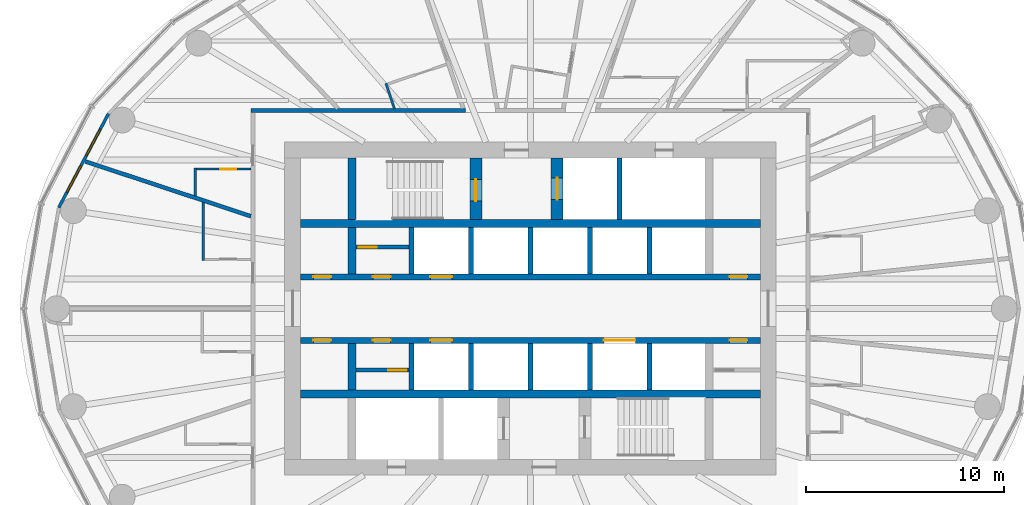
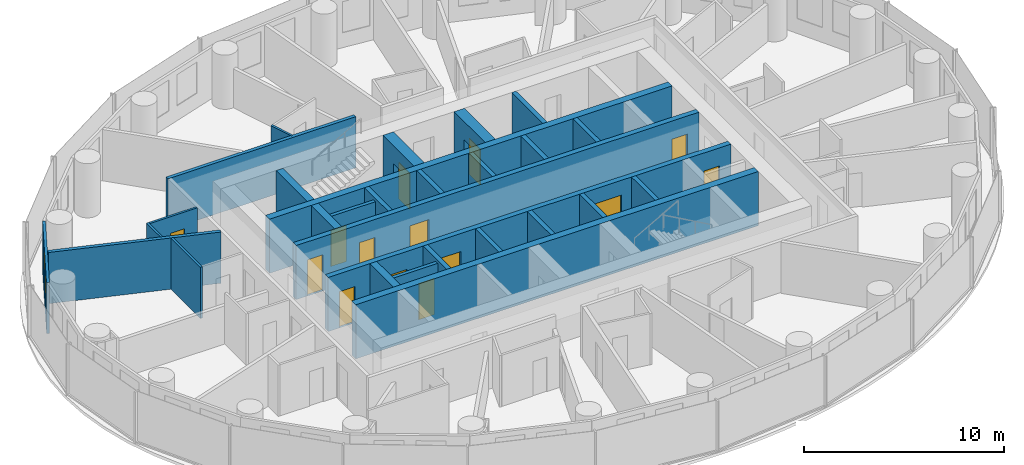
# One storey, part 8 of 13: 29 walls, 14 doors, 2 windows, 16 openings.
"""IFC4 building model written with IfcOpenShell, lengths in metres."""

from ifc_helpers import new_model, si_unit, direction, frame, frame_2d, origin, place, context, subcontext, project, spatial, rectangle, extrude, material, layer, layer_set, type_object, element, fill, save


model = new_model("IFC4")

# Units and contexts
model_context = context("Model", 3, precision=1e-05, world=origin(), true_north=direction((0.0, 1.0)))
body_context = subcontext(model_context, "Body", "Model", "MODEL_VIEW")
ifc_project = project(units=[si_unit("LENGTHUNIT", "METRE"), si_unit("AREAUNIT", "SQUARE_METRE"), si_unit("VOLUMEUNIT", "CUBIC_METRE"), si_unit("PLANEANGLEUNIT", "RADIAN"), si_unit("MASSUNIT", "GRAM", prefix="KILO")], contexts=[model_context])

# Site, building, storey
site_placement = place(None, origin())
site = spatial("IfcSite", under=ifc_project, at=site_placement, CompositionType="ELEMENT")
building_placement = place(site_placement, origin())
building = spatial("IfcBuilding", under=site, at=building_placement, Name="Hankou Lantern Tower", CompositionType="ELEMENT")
storey_placement = place(building_placement, frame((0.0, 0.0, 122.10009765625)))
storey = spatial("IfcBuildingStorey", under=building, at=storey_placement, Name="L31", CompositionType="ELEMENT", Elevation=122.10009765625)

# Walls
ifc_material_1 = material(Name="Concrete C60", Category="concrete")
ifc_layer_1 = layer(ifc_material_1, 0.39990234375)
ifc_layer_set_1 = layer_set([ifc_layer_1], Name="Concrete C60")
wall_type_1 = type_object("IfcWallType", Name="CW4 CORE CROSS WALL 400", PredefinedType="SHEAR", material=ifc_layer_set_1)
for number, where, z_axis, x_axis, name in (
    (1, (-11.60009765625, 4.300048828125, 0.0), (0.0, 0.0, 1.0), (1.0, 0.0, 0.0), "Core band wall north L31"),
    (2, (-11.60009765625, -4.300048828125, 0.0), (0.0, 0.0, 1.0), (1.0, 0.0, 0.0), "Core band wall south L31"),
):
    element("IfcWall", number, at=place(storey_placement, frame(where, z_axis=z_axis, x_axis=x_axis)), inside=storey, type_object=wall_type_1, Name=name, PredefinedType="SHEAR", context=body_context, shape_type="SweptSolid", body=[
        extrude(rectangle(XDim=23.2001953125, YDim=0.39990234375, at=frame_2d((11.60009765625, 0.0))), origin(), (0.0, 0.0, 1.0), 3.2998046875),
    ])
wall_1_placement = place(storey_placement, frame((-9.0, 4.5, 0.0), z_axis=(0.0, 0.0, 1.0), x_axis=(0.0, 1.0, 0.0)))
element("IfcWall", 3, at=wall_1_placement, inside=storey, type_object=wall_type_1, Name="Core strip wall L31", PredefinedType="SHEAR", context=body_context, shape_type="SweptSolid", body=[
    extrude(rectangle(XDim=3.10009765625, YDim=0.39990234375, at=frame_2d((1.550048828125, 0.0))), origin(), (0.0, 0.0, 1.0), 3.2998046875),
])
for number, where, z_axis, x_axis, name in (
    (4, (-9.0, 1.75, 0.0), (0.0, 0.0, 1.0), (0.0, 1.0, 0.0), "Core strip wall L31"),
    (5, (-9.0, -4.10009765625, 0.0), (0.0, 0.0, 1.0), (0.0, 1.0, 0.0), "Core strip wall L31"),
):
    element("IfcWall", number, at=place(storey_placement, frame(where, z_axis=z_axis, x_axis=x_axis)), inside=storey, type_object=wall_type_1, Name=name, PredefinedType="SHEAR", context=body_context, shape_type="SweptSolid", body=[
        extrude(rectangle(XDim=2.35009765625, YDim=0.39990234375, at=frame_2d((1.175048828125, 0.0))), origin(), (0.0, 0.0, 1.0), 3.2998046875),
    ])

# Wall, openings, doors
ifc_material_2 = material(Name="Concrete C60", Category="concrete")
ifc_layer_2 = layer(ifc_material_2, 0.300048828125)
ifc_layer_set_2 = layer_set([ifc_layer_2], Name="Concrete C60")
wall_type_2 = type_object("IfcWallType", Name="CW5 LIFT LOBBY WALL 300", PredefinedType="SHEAR", material=ifc_layer_set_2)
wall_2_placement = place(storey_placement, frame((-11.60009765625, 1.60009765625, 0.0), z_axis=(0.0, 0.0, 1.0), x_axis=(1.0, 0.0, 0.0)))
wall_2 = element("IfcWall", 6, at=wall_2_placement, inside=storey, type_object=wall_type_2, Name="Lift lobby wall north L31", PredefinedType="SHEAR", context=body_context, shape_type="SweptSolid", body=[
    extrude(rectangle(XDim=23.2001953125, YDim=0.300048828125, at=frame_2d((11.60009765625, 0.0))), origin(), (0.0, 0.0, 1.0), 3.2998046875),
])
opening_1_placement = place(wall_2_placement, frame((6.550048828125, 0.0, 0.0)))
opening_1 = element("IfcOpeningElement", 7, at=opening_1_placement, cuts=wall_2, Name="Opening LD1", PredefinedType="OPENING", context=body_context, shape_type="SweptSolid", body=[
    extrude(rectangle(XDim=1.10009765625, YDim=2.199951171875, at=frame_2d((0.550048828125, 1.10009765625))), frame((0.0, 0.159912109375, 0.0), z_axis=(0.0, -1.0, 0.0), x_axis=(1.0, 0.0, 0.0)), (0.0, 0.0, 1.0), 0.320068359375),
])
opening_2_placement = place(wall_2_placement, frame((0.64990234375, 0.0, 0.0)))
opening_2 = element("IfcOpeningElement", 8, at=opening_2_placement, cuts=wall_2, Name="Opening D30", PredefinedType="OPENING", context=body_context, shape_type="SweptSolid", body=[
    extrude(rectangle(XDim=0.89990234375, YDim=2.199951171875, at=frame_2d((0.449951171875, 1.10009765625))), frame((0.0, 0.159912109375, 0.0), z_axis=(0.0, -1.0, 0.0), x_axis=(1.0, 0.0, 0.0)), (0.0, 0.0, 1.0), 0.320068359375),
])
opening_3_placement = place(wall_2_placement, frame((3.64990234375, 0.0, 0.0)))
opening_3 = element("IfcOpeningElement", 9, at=opening_3_placement, cuts=wall_2, Name="Opening D30", PredefinedType="OPENING", context=body_context, shape_type="SweptSolid", body=[
    extrude(rectangle(XDim=0.89990234375, YDim=2.199951171875, at=frame_2d((0.449951171875, 1.10009765625))), frame((0.0, 0.159912109375, 0.0), z_axis=(0.0, -1.0, 0.0), x_axis=(1.0, 0.0, 0.0)), (0.0, 0.0, 1.0), 0.320068359375),
])
opening_4_placement = place(wall_2_placement, frame((21.64990234375, 0.0, 0.0)))
opening_4 = element("IfcOpeningElement", 10, at=opening_4_placement, cuts=wall_2, Name="Opening D30", PredefinedType="OPENING", context=body_context, shape_type="SweptSolid", body=[
    extrude(rectangle(XDim=0.89990234375, YDim=2.199951171875, at=frame_2d((0.449951171875, 1.10009765625))), frame((0.0, 0.159912109375, 0.0), z_axis=(0.0, -1.0, 0.0), x_axis=(1.0, 0.0, 0.0)), (0.0, 0.0, 1.0), 0.320068359375),
])
ifc_material_3 = material(Name="Steel door leaf", Category="steel")
door_type_1 = type_object("IfcDoorType", Name="D30 CORE ROOM DOOR 900X2200", OperationType="SINGLE_SWING_LEFT", PredefinedType="DOOR", material=ifc_material_3)
door_1_placement = place(opening_2_placement, origin())
door_1 = element("IfcDoor", 11, at=door_1_placement, inside=storey, type_object=door_type_1, Name="Engineering store door", OperationType="SINGLE_SWING_LEFT", OverallHeight=2.199951171875, OverallWidth=0.89990234375, PredefinedType="DOOR", context=body_context, shape_type="SweptSolid", body=[
    extrude(rectangle(XDim=0.89990234375, YDim=2.199951171875, at=frame_2d((0.449951171875, 1.10009765625))), frame((0.0, 0.02490234375, 0.0), z_axis=(0.0, -1.0, 0.0), x_axis=(1.0, 0.0, 0.0)), (0.0, 0.0, 1.0), 0.050048828125),
])
fill(opening_2, door_1)
door_2_placement = place(opening_3_placement, origin())
door_2 = element("IfcDoor", 12, at=door_2_placement, inside=storey, type_object=door_type_1, Name="Cleaner's store door", OperationType="SINGLE_SWING_LEFT", OverallHeight=2.199951171875, OverallWidth=0.89990234375, PredefinedType="DOOR", context=body_context, shape_type="SweptSolid", body=[
    extrude(rectangle(XDim=0.89990234375, YDim=2.199951171875, at=frame_2d((0.449951171875, 1.10009765625))), frame((0.0, 0.02490234375, 0.0), z_axis=(0.0, -1.0, 0.0), x_axis=(1.0, 0.0, 0.0)), (0.0, 0.0, 1.0), 0.050048828125),
])
fill(opening_3, door_2)
door_3_placement = place(opening_4_placement, origin())
door_3 = element("IfcDoor", 13, at=door_3_placement, inside=storey, type_object=door_type_1, Name="Housekeeping and linen store door", OperationType="SINGLE_SWING_RIGHT", OverallHeight=2.199951171875, OverallWidth=0.89990234375, PredefinedType="DOOR", context=body_context, shape_type="SweptSolid", body=[
    extrude(rectangle(XDim=0.89990234375, YDim=2.199951171875, at=frame_2d((0.449951171875, 1.10009765625))), frame((0.0, 0.02490234375, 0.0), z_axis=(0.0, -1.0, 0.0), x_axis=(1.0, 0.0, 0.0)), (0.0, 0.0, 1.0), 0.050048828125),
])
fill(opening_4, door_3)
ifc_material_4 = material(Name="Steel door leaf", Category="steel")
door_type_2 = type_object("IfcDoorType", Name="LD1 LIFT LANDING DOOR 1100X2200", OperationType="DOUBLE_DOOR_SLIDING", PredefinedType="DOOR", material=ifc_material_4)
door_4_placement = place(opening_1_placement, origin())
door_4 = element("IfcDoor", 14, at=door_4_placement, inside=storey, type_object=door_type_2, Name="Lift M1 landing door", OperationType="DOUBLE_DOOR_SLIDING", OverallHeight=2.199951171875, OverallWidth=1.10009765625, PredefinedType="DOOR", context=body_context, shape_type="SweptSolid", body=[
    extrude(rectangle(XDim=1.10009765625, YDim=2.199951171875, at=frame_2d((0.550048828125, 1.10009765625))), frame((0.0, 0.02490234375, 0.0), z_axis=(0.0, -1.0, 0.0), x_axis=(1.0, 0.0, 0.0)), (0.0, 0.0, 1.0), 0.050048828125),
])
fill(opening_1, door_4)

wall_3_placement = place(storey_placement, frame((-11.60009765625, -1.60009765625, 0.0), z_axis=(0.0, 0.0, 1.0), x_axis=(1.0, 0.0, 0.0)))
wall_3 = element("IfcWall", 15, at=wall_3_placement, inside=storey, type_object=wall_type_2, Name="Lift lobby wall south L31", PredefinedType="SHEAR", context=body_context, shape_type="SweptSolid", body=[
    extrude(rectangle(XDim=23.2001953125, YDim=0.300048828125, at=frame_2d((11.60009765625, 0.0))), origin(), (0.0, 0.0, 1.0), 3.2998046875),
])
opening_5_placement = place(wall_3_placement, frame((6.550048828125, 0.0, 0.0)))
opening_5 = element("IfcOpeningElement", 16, at=opening_5_placement, cuts=wall_3, Name="Opening LD1", PredefinedType="OPENING", context=body_context, shape_type="SweptSolid", body=[
    extrude(rectangle(XDim=1.10009765625, YDim=2.199951171875, at=frame_2d((0.550048828125, 1.10009765625))), frame((0.0, 0.159912109375, 0.0), z_axis=(0.0, -1.0, 0.0), x_axis=(1.0, 0.0, 0.0)), (0.0, 0.0, 1.0), 0.320068359375),
])
opening_6_placement = place(wall_3_placement, frame((15.300048828125, 0.0, 0.0)))
opening_6 = element("IfcOpeningElement", 17, at=opening_6_placement, cuts=wall_3, Name="Opening LD4", PredefinedType="OPENING", context=body_context, shape_type="SweptSolid", body=[
    extrude(rectangle(XDim=1.60009765625, YDim=2.39990234375, at=frame_2d((0.800048828125, 1.199951171875))), frame((0.0, 0.159912109375, 0.0), z_axis=(0.0, -1.0, 0.0), x_axis=(1.0, 0.0, 0.0)), (0.0, 0.0, 1.0), 0.320068359375),
])
opening_7_placement = place(wall_3_placement, frame((0.64990234375, 0.0, 0.0)))
opening_7 = element("IfcOpeningElement", 18, at=opening_7_placement, cuts=wall_3, Name="Opening D30", PredefinedType="OPENING", context=body_context, shape_type="SweptSolid", body=[
    extrude(rectangle(XDim=0.89990234375, YDim=2.199951171875, at=frame_2d((0.449951171875, 1.10009765625))), frame((0.0, 0.159912109375, 0.0), z_axis=(0.0, -1.0, 0.0), x_axis=(1.0, 0.0, 0.0)), (0.0, 0.0, 1.0), 0.320068359375),
])
opening_8_placement = place(wall_3_placement, frame((3.64990234375, 0.0, 0.0)))
opening_8 = element("IfcOpeningElement", 19, at=opening_8_placement, cuts=wall_3, Name="Opening D30", PredefinedType="OPENING", context=body_context, shape_type="SweptSolid", body=[
    extrude(rectangle(XDim=0.89990234375, YDim=2.199951171875, at=frame_2d((0.449951171875, 1.10009765625))), frame((0.0, 0.159912109375, 0.0), z_axis=(0.0, -1.0, 0.0), x_axis=(1.0, 0.0, 0.0)), (0.0, 0.0, 1.0), 0.320068359375),
])
opening_9_placement = place(wall_3_placement, frame((21.64990234375, 0.0, 0.0)))
opening_9 = element("IfcOpeningElement", 20, at=opening_9_placement, cuts=wall_3, Name="Opening D30", PredefinedType="OPENING", context=body_context, shape_type="SweptSolid", body=[
    extrude(rectangle(XDim=0.89990234375, YDim=2.199951171875, at=frame_2d((0.449951171875, 1.10009765625))), frame((0.0, 0.159912109375, 0.0), z_axis=(0.0, -1.0, 0.0), x_axis=(1.0, 0.0, 0.0)), (0.0, 0.0, 1.0), 0.320068359375),
])
door_5_placement = place(opening_7_placement, origin())
door_5 = element("IfcDoor", 21, at=door_5_placement, inside=storey, type_object=door_type_1, Name="Guest pantry and ice room door", OperationType="SINGLE_SWING_LEFT", OverallHeight=2.199951171875, OverallWidth=0.89990234375, PredefinedType="DOOR", context=body_context, shape_type="SweptSolid", body=[
    extrude(rectangle(XDim=0.89990234375, YDim=2.199951171875, at=frame_2d((0.449951171875, 1.10009765625))), frame((0.0, 0.02490234375, 0.0), z_axis=(0.0, -1.0, 0.0), x_axis=(1.0, 0.0, 0.0)), (0.0, 0.0, 1.0), 0.050048828125),
])
fill(opening_7, door_5)
door_6_placement = place(opening_8_placement, origin())
door_6 = element("IfcDoor", 22, at=door_6_placement, inside=storey, type_object=door_type_1, Name="Vending room door", OperationType="SINGLE_SWING_LEFT", OverallHeight=2.199951171875, OverallWidth=0.89990234375, PredefinedType="DOOR", context=body_context, shape_type="SweptSolid", body=[
    extrude(rectangle(XDim=0.89990234375, YDim=2.199951171875, at=frame_2d((0.449951171875, 1.10009765625))), frame((0.0, 0.02490234375, 0.0), z_axis=(0.0, -1.0, 0.0), x_axis=(1.0, 0.0, 0.0)), (0.0, 0.0, 1.0), 0.050048828125),
])
fill(opening_8, door_6)
door_7_placement = place(opening_9_placement, origin())
door_7 = element("IfcDoor", 23, at=door_7_placement, inside=storey, type_object=door_type_1, Name="Room service pantry door", OperationType="SINGLE_SWING_RIGHT", OverallHeight=2.199951171875, OverallWidth=0.89990234375, PredefinedType="DOOR", context=body_context, shape_type="SweptSolid", body=[
    extrude(rectangle(XDim=0.89990234375, YDim=2.199951171875, at=frame_2d((0.449951171875, 1.10009765625))), frame((0.0, 0.02490234375, 0.0), z_axis=(0.0, -1.0, 0.0), x_axis=(1.0, 0.0, 0.0)), (0.0, 0.0, 1.0), 0.050048828125),
])
fill(opening_9, door_7)
door_8_placement = place(opening_5_placement, origin())
door_8 = element("IfcDoor", 24, at=door_8_placement, inside=storey, type_object=door_type_2, Name="Lift M2 landing door", OperationType="DOUBLE_DOOR_SLIDING", OverallHeight=2.199951171875, OverallWidth=1.10009765625, PredefinedType="DOOR", context=body_context, shape_type="SweptSolid", body=[
    extrude(rectangle(XDim=1.10009765625, YDim=2.199951171875, at=frame_2d((0.550048828125, 1.10009765625))), frame((0.0, 0.02490234375, 0.0), z_axis=(0.0, -1.0, 0.0), x_axis=(1.0, 0.0, 0.0)), (0.0, 0.0, 1.0), 0.050048828125),
])
fill(opening_5, door_8)
ifc_material_5 = material(Name="Steel door leaf", Category="steel")
door_type_3 = type_object("IfcDoorType", Name="LD4 SERVICE LIFT LANDING DOOR 1600X2400", OperationType="DOUBLE_DOOR_SLIDING", PredefinedType="DOOR", material=ifc_material_5)
door_9_placement = place(opening_6_placement, origin())
door_9 = element("IfcDoor", 25, at=door_9_placement, inside=storey, type_object=door_type_3, Name="Lift SV1 landing door", OperationType="DOUBLE_DOOR_SLIDING", OverallHeight=2.39990234375, OverallWidth=1.60009765625, PredefinedType="DOOR", context=body_context, shape_type="SweptSolid", body=[
    extrude(rectangle(XDim=1.60009765625, YDim=2.39990234375, at=frame_2d((0.800048828125, 1.199951171875))), frame((0.0, 0.02490234375, 0.0), z_axis=(0.0, -1.0, 0.0), x_axis=(1.0, 0.0, 0.0)), (0.0, 0.0, 1.0), 0.050048828125),
])
fill(opening_6, door_9)

# Wall, opening, door
ifc_material_6 = material(Name="Concrete C60", Category="concrete")
ifc_layer_3 = layer(ifc_material_6, 0.60009765625)
ifc_layer_set_3 = layer_set([ifc_layer_3], Name="Concrete C60")
wall_type_3 = type_object("IfcWallType", Name="CW6 STAIR AND SHAFT WALL 600", PredefinedType="SHEAR", material=ifc_layer_set_3)
wall_4_placement = place(storey_placement, frame((-2.75, 4.5, 0.0), z_axis=(0.0, 0.0, 1.0), x_axis=(0.0, 1.0, 0.0)))
wall_4 = element("IfcWall", 26, at=wall_4_placement, inside=storey, type_object=wall_type_3, Name="Stair wall L31", PredefinedType="SHEAR", context=body_context, shape_type="SweptSolid", body=[
    extrude(rectangle(XDim=3.10009765625, YDim=0.60009765625, at=frame_2d((1.550048828125, 0.0))), origin(), (0.0, 0.0, 1.0), 3.2998046875),
])
opening_10_placement = place(wall_4_placement, frame((0.925048828125, 0.0, 0.0)))
opening_10 = element("IfcOpeningElement", 27, at=opening_10_placement, cuts=wall_4, Name="Opening D4", PredefinedType="OPENING", context=body_context, shape_type="SweptSolid", body=[
    extrude(rectangle(XDim=1.10009765625, YDim=2.199951171875, at=frame_2d((0.550048828125, 1.10009765625))), frame((0.0, 0.31005859375, 0.0), z_axis=(0.0, -1.0, 0.0), x_axis=(1.0, 0.0, 0.0)), (0.0, 0.0, 1.0), 0.6201171875),
])
ifc_material_7 = material(Name="Steel door leaf", Category="steel")
door_type_4 = type_object("IfcDoorType", Name="D4 STAIR DOOR 1100X2200", OperationType="SINGLE_SWING_LEFT", PredefinedType="DOOR", material=ifc_material_7)
door_10_placement = place(opening_10_placement, origin())
door_10 = element("IfcDoor", 28, at=door_10_placement, inside=storey, type_object=door_type_4, Name="Stair A door", OperationType="SINGLE_SWING_LEFT", OverallHeight=2.199951171875, OverallWidth=1.10009765625, PredefinedType="DOOR", context=body_context, shape_type="SweptSolid", body=[
    extrude(rectangle(XDim=1.10009765625, YDim=2.199951171875, at=frame_2d((0.550048828125, 1.10009765625))), frame((0.0, 0.02490234375, 0.0), z_axis=(0.0, -1.0, 0.0), x_axis=(1.0, 0.0, 0.0)), (0.0, 0.0, 1.0), 0.050048828125),
])
fill(opening_10, door_10)

wall_5_placement = place(storey_placement, frame((1.35009765625, 4.5, 0.0), z_axis=(0.0, 0.0, 1.0), x_axis=(0.0, 1.0, 0.0)))
wall_5 = element("IfcWall", 29, at=wall_5_placement, inside=storey, type_object=wall_type_3, Name="Firefighting lift shaft wall L31", PredefinedType="SHEAR", context=body_context, shape_type="SweptSolid", body=[
    extrude(rectangle(XDim=3.10009765625, YDim=0.60009765625, at=frame_2d((1.550048828125, 0.0))), origin(), (0.0, 0.0, 1.0), 3.2998046875),
])
opening_11_placement = place(wall_5_placement, frame((1.0, 0.0, 0.0)))
opening_11 = element("IfcOpeningElement", 30, at=opening_11_placement, cuts=wall_5, Name="Opening LD2", PredefinedType="OPENING", context=body_context, shape_type="SweptSolid", body=[
    extrude(rectangle(XDim=1.10009765625, YDim=2.199951171875, at=frame_2d((0.550048828125, 1.10009765625))), frame((0.0, 0.31005859375, 0.0), z_axis=(0.0, -1.0, 0.0), x_axis=(1.0, 0.0, 0.0)), (0.0, 0.0, 1.0), 0.6201171875),
])
ifc_material_8 = material(Name="Steel door leaf", Category="steel")
door_type_5 = type_object("IfcDoorType", Name="LD2 FIREFIGHTING LIFT LANDING DOOR 1100X2200", OperationType="DOUBLE_DOOR_SLIDING", PredefinedType="DOOR", material=ifc_material_8)
door_11_placement = place(opening_11_placement, origin())
door_11 = element("IfcDoor", 31, at=door_11_placement, inside=storey, type_object=door_type_5, Name="Firefighting lift FL1 landing door", OperationType="DOUBLE_DOOR_SLIDING", OverallHeight=2.199951171875, OverallWidth=1.10009765625, PredefinedType="DOOR", context=body_context, shape_type="SweptSolid", body=[
    extrude(rectangle(XDim=1.10009765625, YDim=2.199951171875, at=frame_2d((0.550048828125, 1.10009765625))), frame((0.0, 0.02490234375, 0.0), z_axis=(0.0, -1.0, 0.0), x_axis=(1.0, 0.0, 0.0)), (0.0, 0.0, 1.0), 0.050048828125),
])
fill(opening_11, door_11)

# Wall, openings, windows
ifc_material_9 = material(Name="Aluminium spandrel panel on steel studs", Category="steel")
ifc_layer_4 = layer(ifc_material_9, 0.14990234375)
ifc_layer_set_4 = layer_set([ifc_layer_4], Name="Aluminium spandrel panel on steel studs")
wall_type_4 = type_object("IfcWallType", Name="EW1 INNER SKIN WALL 150", PredefinedType="ELEMENTEDWALL", material=ifc_layer_set_4)
wall_6_placement = place(storey_placement, frame((-21.287353515625, 9.83203125, 0.0), z_axis=(0.0, 0.0, 1.0), x_axis=(-0.467814388454, -0.883826735257, 0.0)))
wall_6 = element("IfcWall", 32, at=wall_6_placement, inside=storey, type_object=wall_type_4, Name="Inner skin R11-R12 L31", PredefinedType="ELEMENTEDWALL", context=body_context, shape_type="SweptSolid", body=[
    extrude(rectangle(XDim=5.35400390625, YDim=0.14990234375, at=frame_2d((2.677001953125, 0.0))), origin(), (0.0, 0.0, 1.0), 3.119873046875),
])
opening_12_placement = place(wall_6_placement, frame((0.876953125, 0.0, 0.89990234375)))
opening_12 = element("IfcOpeningElement", 33, at=opening_12_placement, cuts=wall_6, Name="Opening W2", PredefinedType="OPENING", context=body_context, shape_type="SweptSolid", body=[
    extrude(rectangle(XDim=1.5, YDim=1.89990234375, at=frame_2d((0.75, 0.949951171875))), frame((0.0, 0.0849609375, 0.0), z_axis=(0.0, -1.0, 0.0), x_axis=(1.0, 0.0, 0.0)), (0.0, 0.0, 1.0), 0.169921875),
])
opening_13_placement = place(wall_6_placement, frame((2.97705078125, 0.0, 0.89990234375)))
opening_13 = element("IfcOpeningElement", 34, at=opening_13_placement, cuts=wall_6, Name="Opening W2", PredefinedType="OPENING", context=body_context, shape_type="SweptSolid", body=[
    extrude(rectangle(XDim=1.5, YDim=1.89990234375, at=frame_2d((0.75, 0.949951171875))), frame((0.0, 0.0849609375, 0.0), z_axis=(0.0, -1.0, 0.0), x_axis=(1.0, 0.0, 0.0)), (0.0, 0.0, 1.0), 0.169921875),
])
ifc_material_10 = material(Name="Aluminium framed double glazed window", Category="aluminium")
window_type = type_object("IfcWindowType", Name="W2 GUEST ROOM WINDOW 1500X1900", PartitioningType="DOUBLE_PANEL_VERTICAL", PredefinedType="WINDOW", material=ifc_material_10)
window_1_placement = place(opening_12_placement, origin())
window_1 = element("IfcWindow", 35, at=window_1_placement, inside=storey, type_object=window_type, Name="Window R11.1 L31", OverallHeight=1.89990234375, OverallWidth=1.5, PartitioningType="SINGLE_PANEL", PredefinedType="WINDOW", context=body_context, shape_type="SweptSolid", body=[
    extrude(rectangle(XDim=1.5, YDim=1.89990234375, at=frame_2d((0.75, 0.949951171875))), frame((0.0, 0.030029296875, 0.0), z_axis=(0.0, -1.0, 0.0), x_axis=(1.0, 0.0, 0.0)), (0.0, 0.0, 1.0), 0.06005859375),
])
fill(opening_12, window_1)
window_2_placement = place(opening_13_placement, origin())
window_2 = element("IfcWindow", 36, at=window_2_placement, inside=storey, type_object=window_type, Name="Window R11.2 L31", OverallHeight=1.89990234375, OverallWidth=1.5, PartitioningType="SINGLE_PANEL", PredefinedType="WINDOW", context=body_context, shape_type="SweptSolid", body=[
    extrude(rectangle(XDim=1.5, YDim=1.89990234375, at=frame_2d((0.75, 0.949951171875))), frame((0.0, 0.030029296875, 0.0), z_axis=(0.0, -1.0, 0.0), x_axis=(1.0, 0.0, 0.0)), (0.0, 0.0, 1.0), 0.06005859375),
])
fill(opening_13, window_2)

# Walls
ifc_material_11 = material(Name="Masonry lightweight concrete block", Category="masonry")
ifc_layer_5 = layer(ifc_material_11, 0.199951171875)
ifc_layer_set_5 = layer_set([ifc_layer_5], Name="Masonry lightweight concrete block")
wall_type_5 = type_object("IfcWallType", Name="IW1 GUEST ROOM PARTY WALL 200", PredefinedType="PARTITIONING", material=ifc_layer_set_5)
wall_7_placement = place(storey_placement, frame((-14.10009765625, 4.662353515625, 0.0), z_axis=(0.0, 0.0, 1.0), x_axis=(-0.949446466373, 0.313928984789, 0.0)))
element("IfcWall", 37, at=wall_7_placement, inside=storey, type_object=wall_type_5, Name="Party wall R11-R12", PredefinedType="PARTITIONING", context=body_context, shape_type="SweptSolid", body=[
    extrude(rectangle(XDim=8.79736328125, YDim=0.199951171875, at=frame_2d((4.398681640625, 0.0))), origin(), (0.0, 0.0, 1.0), 3.119873046875),
])
ifc_material_12 = material(Name="Masonry lightweight concrete block", Category="masonry")
ifc_layer_6 = layer(ifc_material_12, 0.199951171875)
ifc_layer_set_6 = layer_set([ifc_layer_6], Name="Masonry lightweight concrete block")
wall_type_6 = type_object("IfcWallType", Name="IW2 CORRIDOR WALL 200", PredefinedType="PARTITIONING", material=ifc_layer_set_6)
wall_8_placement = place(storey_placement, frame((-14.10009765625, 10.0, 0.0), z_axis=(0.0, 0.0, 1.0), x_axis=(1.0, 0.0, 0.0)))
element("IfcWall", 38, at=wall_8_placement, inside=storey, type_object=wall_type_6, Name="Corridor wall north", PredefinedType="PARTITIONING", context=body_context, shape_type="SweptSolid", body=[
    extrude(rectangle(XDim=10.817138671875, YDim=0.199951171875, at=frame_2d((5.40869140625, 0.0))), origin(), (0.0, 0.0, 1.0), 3.119873046875),
])
ifc_material_13 = material(Name="Masonry lightweight concrete block", Category="masonry")
ifc_layer_7 = layer(ifc_material_13, 0.1201171875)
ifc_layer_set_7 = layer_set([ifc_layer_7], Name="Masonry lightweight concrete block")
wall_type_7 = type_object("IfcWallType", Name="IW3 BATHROOM WALL 120", PredefinedType="PARTITIONING", material=ifc_layer_set_7)
wall_9_placement = place(storey_placement, frame((-6.852294921875, 10.068359375, 0.0), z_axis=(0.0, 0.0, 1.0), x_axis=(-0.317619240343, 0.948218338867, 0.0)))
element("IfcWall", 39, at=wall_9_placement, inside=storey, type_object=wall_type_7, Name="Box wall 3104 1", PredefinedType="PARTITIONING", context=body_context, shape_type="SweptSolid", body=[
    extrude(rectangle(XDim=1.3681640625, YDim=0.1201171875, at=frame_2d((0.68408203125, 0.0))), origin(), (0.0, 0.0, 1.0), 3.119873046875),
])
wall_10_placement = place(storey_placement, frame((-16.89990234375, 5.688232421875, 0.0), z_axis=(0.0, 0.0, 1.0), x_axis=(0.0, 1.0, 0.0)))
element("IfcWall", 40, at=wall_10_placement, inside=storey, type_object=wall_type_7, Name="Box wall 3105 1", PredefinedType="PARTITIONING", context=body_context, shape_type="SweptSolid", body=[
    extrude(rectangle(XDim=1.4140625, YDim=0.1201171875, at=frame_2d((0.70703125, 0.0))), origin(), (0.0, 0.0, 1.0), 3.119873046875),
])

# Wall, opening, door
wall_11_placement = place(storey_placement, frame((-14.10009765625, 7.042236328125, 0.0), z_axis=(0.0, 0.0, 1.0), x_axis=(-1.0, 0.0, 0.0)))
wall_11 = element("IfcWall", 41, at=wall_11_placement, inside=storey, type_object=wall_type_7, Name="Box wall 3105 1", PredefinedType="PARTITIONING", context=body_context, shape_type="SweptSolid", body=[
    extrude(rectangle(XDim=2.739990234375, YDim=0.1201171875, at=frame_2d((1.3701171875, 0.0))), origin(), (0.0, 0.0, 1.0), 3.119873046875),
])
opening_14_placement = place(wall_11_placement, frame((0.75, 0.0, 0.0)))
opening_14 = element("IfcOpeningElement", 42, at=opening_14_placement, cuts=wall_11, Name="Opening D3", PredefinedType="OPENING", context=body_context, shape_type="SweptSolid", body=[
    extrude(rectangle(XDim=0.800048828125, YDim=2.10009765625, at=frame_2d((0.39990234375, 1.050048828125))), frame((0.0, 0.070068359375, 0.0), z_axis=(0.0, -1.0, 0.0), x_axis=(1.0, 0.0, 0.0)), (0.0, 0.0, 1.0), 0.14013671875),
])
ifc_material_14 = material(Name="Timber door leaf", Category="wood")
door_type_6 = type_object("IfcDoorType", Name="D3 BATHROOM DOOR 800X2100", OperationType="SINGLE_SWING_LEFT", PredefinedType="DOOR", material=ifc_material_14)
door_12_placement = place(opening_14_placement, origin())
door_12 = element("IfcDoor", 43, at=door_12_placement, inside=storey, type_object=door_type_6, Name="Junior suite 3105 bathroom door", OperationType="SINGLE_SWING_LEFT", OverallHeight=2.10009765625, OverallWidth=0.800048828125, PredefinedType="DOOR", context=body_context, shape_type="SweptSolid", body=[
    extrude(rectangle(XDim=0.800048828125, YDim=2.10009765625, at=frame_2d((0.39990234375, 1.050048828125))), frame((0.0, 0.02490234375, 0.0), z_axis=(0.0, -1.0, 0.0), x_axis=(1.0, 0.0, 0.0)), (0.0, 0.0, 1.0), 0.050048828125),
])
fill(opening_14, door_12)

# Wall
wall_12_placement = place(storey_placement, frame((-16.5, 5.35595703125, 0.0), z_axis=(0.0, 0.0, 1.0), x_axis=(0.0, -1.0, 0.0)))
element("IfcWall", 44, at=wall_12_placement, inside=storey, type_object=wall_type_7, Name="Box wall 3106 1", PredefinedType="PARTITIONING", context=body_context, shape_type="SweptSolid", body=[
    extrude(rectangle(XDim=2.93359375, YDim=0.1201171875, at=frame_2d((1.466796875, 0.0))), origin(), (0.0, 0.0, 1.0), 3.119873046875),
])

# Wall, opening, door
ifc_material_15 = material(Name="Masonry lightweight concrete block", Category="masonry")
ifc_layer_8 = layer(ifc_material_15, 0.199951171875)
ifc_layer_set_8 = layer_set([ifc_layer_8], Name="Masonry lightweight concrete block")
wall_type_8 = type_object("IfcWallType", Name="IW8 PARTITION 200", PredefinedType="PARTITIONING", material=ifc_layer_set_8)
wall_13_placement = place(storey_placement, frame((-8.800048828125, 3.10009765625, 0.0), z_axis=(0.0, 0.0, 1.0), x_axis=(1.0, 0.0, 0.0)))
wall_13 = element("IfcWall", 45, at=wall_13_placement, inside=storey, type_object=wall_type_8, Name="Partition cleaner's store", PredefinedType="PARTITIONING", context=body_context, shape_type="SweptSolid", body=[
    extrude(rectangle(XDim=2.675048828125, YDim=0.199951171875, at=frame_2d((1.33740234375, 0.0))), origin(), (0.0, 0.0, 1.0), 3.119873046875),
])
opening_15_placement = place(wall_13_placement, frame((0.14990234375, 0.0, 0.0)))
opening_15 = element("IfcOpeningElement", 46, at=opening_15_placement, cuts=wall_13, Name="Opening D12", PredefinedType="OPENING", context=body_context, shape_type="SweptSolid", body=[
    extrude(rectangle(XDim=0.89990234375, YDim=2.199951171875, at=frame_2d((0.449951171875, 1.10009765625))), frame((0.0, 0.10986328125, 0.0), z_axis=(0.0, -1.0, 0.0), x_axis=(1.0, 0.0, 0.0)), (0.0, 0.0, 1.0), 0.219970703125),
])
ifc_material_16 = material(Name="Steel door leaf", Category="steel")
door_type_7 = type_object("IfcDoorType", Name="D12 STORE DOOR 900X2200", OperationType="SINGLE_SWING_LEFT", PredefinedType="DOOR", material=ifc_material_16)
door_13_placement = place(opening_15_placement, origin())
door_13 = element("IfcDoor", 47, at=door_13_placement, inside=storey, type_object=door_type_7, Name="Cleaning materials cupboard door", OperationType="SINGLE_SWING_LEFT", OverallHeight=2.199951171875, OverallWidth=0.89990234375, PredefinedType="DOOR", context=body_context, shape_type="SweptSolid", body=[
    extrude(rectangle(XDim=0.89990234375, YDim=2.199951171875, at=frame_2d((0.449951171875, 1.10009765625))), frame((0.0, 0.02490234375, 0.0), z_axis=(0.0, -1.0, 0.0), x_axis=(1.0, 0.0, 0.0)), (0.0, 0.0, 1.0), 0.050048828125),
])
fill(opening_15, door_13)

wall_14_placement = place(storey_placement, frame((-8.800048828125, -3.10009765625, 0.0), z_axis=(0.0, 0.0, 1.0), x_axis=(1.0, 0.0, 0.0)))
wall_14 = element("IfcWall", 48, at=wall_14_placement, inside=storey, type_object=wall_type_8, Name="Partition vending room", PredefinedType="PARTITIONING", context=body_context, shape_type="SweptSolid", body=[
    extrude(rectangle(XDim=2.675048828125, YDim=0.199951171875, at=frame_2d((1.33740234375, 0.0))), origin(), (0.0, 0.0, 1.0), 3.119873046875),
])
opening_16_placement = place(wall_14_placement, frame((1.625, 0.0, 0.0)))
opening_16 = element("IfcOpeningElement", 49, at=opening_16_placement, cuts=wall_14, Name="Opening D12", PredefinedType="OPENING", context=body_context, shape_type="SweptSolid", body=[
    extrude(rectangle(XDim=0.89990234375, YDim=2.199951171875, at=frame_2d((0.449951171875, 1.10009765625))), frame((0.0, 0.10986328125, 0.0), z_axis=(0.0, -1.0, 0.0), x_axis=(1.0, 0.0, 0.0)), (0.0, 0.0, 1.0), 0.219970703125),
])
door_14_placement = place(opening_16_placement, origin())
door_14 = element("IfcDoor", 50, at=door_14_placement, inside=storey, type_object=door_type_7, Name="Vending stock cupboard door", OperationType="SINGLE_SWING_RIGHT", OverallHeight=2.199951171875, OverallWidth=0.89990234375, PredefinedType="DOOR", context=body_context, shape_type="SweptSolid", body=[
    extrude(rectangle(XDim=0.89990234375, YDim=2.199951171875, at=frame_2d((0.449951171875, 1.10009765625))), frame((0.0, 0.02490234375, 0.0), z_axis=(0.0, -1.0, 0.0), x_axis=(1.0, 0.0, 0.0)), (0.0, 0.0, 1.0), 0.050048828125),
])
fill(opening_16, door_14)

# Walls
ifc_material_17 = material(Name="Masonry autoclaved aerated concrete block", Category="masonry")
ifc_layer_9 = layer(ifc_material_17, 0.25)
ifc_layer_set_9 = layer_set([ifc_layer_9], Name="Masonry autoclaved aerated concrete block")
wall_type_9 = type_object("IfcWallType", Name="SW1 SHAFT BLOCK WALL 250", PredefinedType="PARTITIONING", material=ifc_layer_set_9)
wall_15_placement = place(storey_placement, frame((4.5, 4.5, 0.0), z_axis=(0.0, 0.0, 1.0), x_axis=(0.0, 1.0, 0.0)))
element("IfcWall", 51, at=wall_15_placement, inside=storey, type_object=wall_type_9, Name="Riser wall L31", PredefinedType="PARTITIONING", context=body_context, shape_type="SweptSolid", body=[
    extrude(rectangle(XDim=3.10009765625, YDim=0.25, at=frame_2d((1.550048828125, 0.0))), origin(), (0.0, 0.0, 1.0), 3.2998046875),
])
for number, where, z_axis, x_axis, name in (
    (52, (-6.0, 1.75, 0.0), (0.0, 0.0, 1.0), (0.0, 1.0, 0.0), "Lift shaft wall L31"),
    (53, (-3.0, 1.75, 0.0), (0.0, 0.0, 1.0), (0.0, 1.0, 0.0), "Lift shaft wall L31"),
    (54, (0.0, 1.75, 0.0), (0.0, 0.0, 1.0), (0.0, 1.0, 0.0), "Lift shaft wall L31"),
    (55, (3.0, 1.75, 0.0), (0.0, 0.0, 1.0), (0.0, 1.0, 0.0), "Lift shaft wall L31"),
    (56, (6.0, 1.75, 0.0), (0.0, 0.0, 1.0), (0.0, 1.0, 0.0), "Lift shaft wall L31"),
    (57, (-6.0, -4.10009765625, 0.0), (0.0, 0.0, 1.0), (0.0, 1.0, 0.0), "Lift shaft wall L31"),
    (58, (-3.0, -4.10009765625, 0.0), (0.0, 0.0, 1.0), (0.0, 1.0, 0.0), "Lift shaft wall L31"),
    (59, (0.0, -4.10009765625, 0.0), (0.0, 0.0, 1.0), (0.0, 1.0, 0.0), "Lift shaft wall L31"),
    (60, (3.0, -4.10009765625, 0.0), (0.0, 0.0, 1.0), (0.0, 1.0, 0.0), "Lift shaft wall L31"),
    (61, (6.0, -4.10009765625, 0.0), (0.0, 0.0, 1.0), (0.0, 1.0, 0.0), "Lift shaft wall L31"),
):
    element("IfcWall", number, at=place(storey_placement, frame(where, z_axis=z_axis, x_axis=x_axis)), inside=storey, type_object=wall_type_9, Name=name, PredefinedType="PARTITIONING", context=body_context, shape_type="SweptSolid", body=[
        extrude(rectangle(XDim=2.35009765625, YDim=0.25, at=frame_2d((1.175048828125, 0.0))), origin(), (0.0, 0.0, 1.0), 3.2998046875),
    ])

save(model, "model.ifc")
